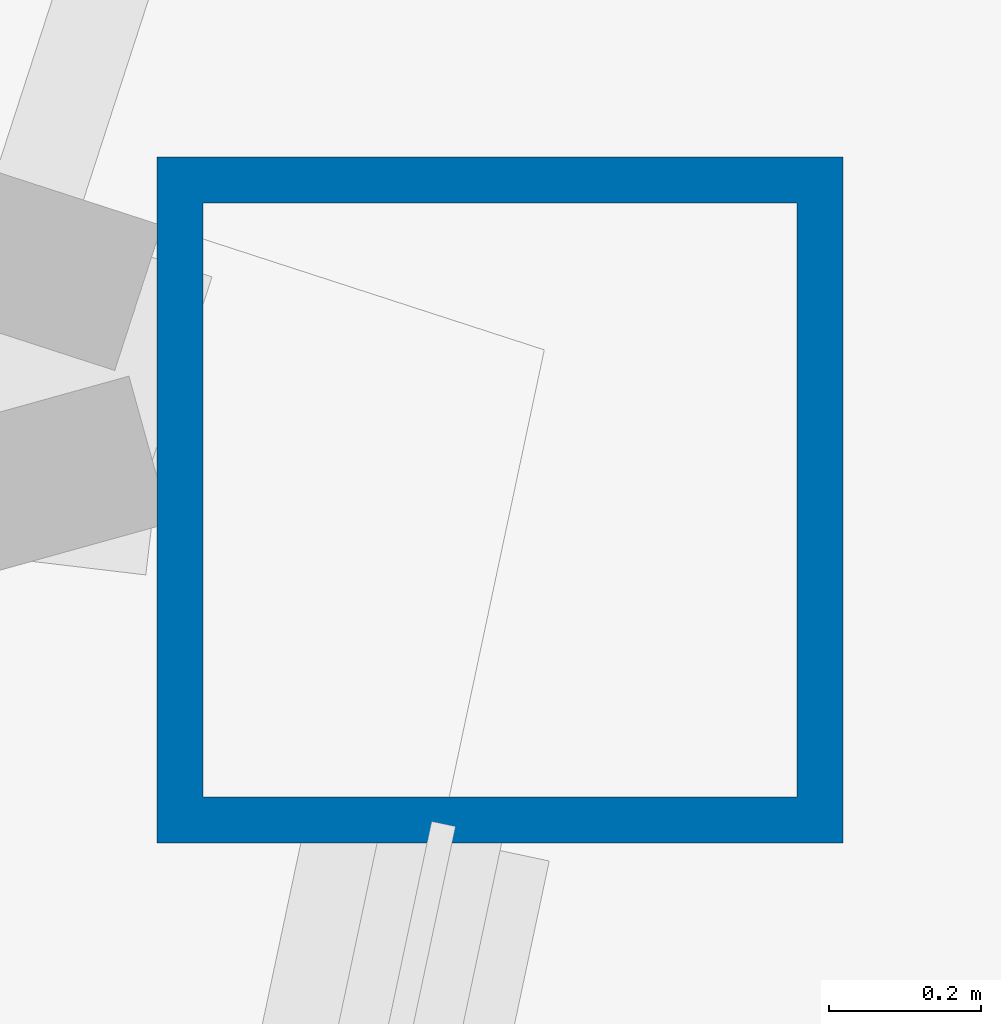
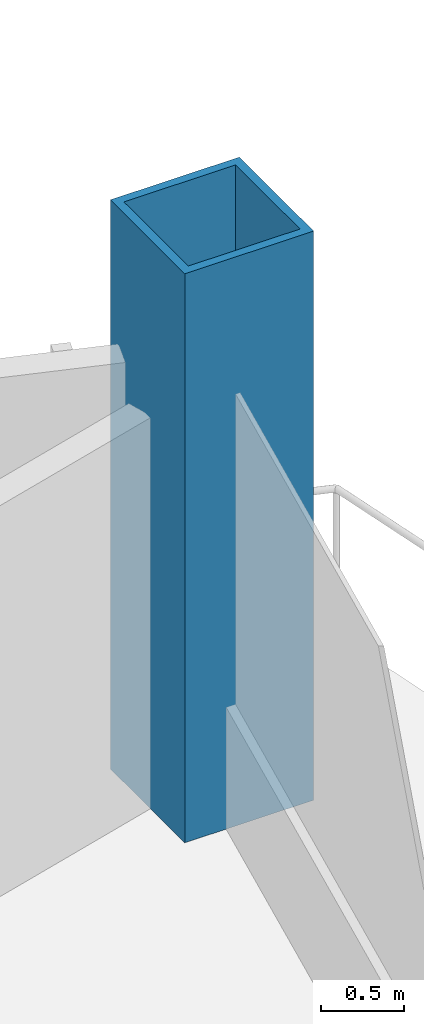
# One storey, part 2 of 21: 1 column.
"""IFC4 building model written with IfcOpenShell, lengths in metres."""

from ifc_helpers import new_model, si_unit, direction, frame, origin, origin_2d, place, context, subcontext, project, spatial, hollow_rectangle, extrude, material, material_profile, profile_set, type_object, element, save


model = new_model("IFC4")

# Units and contexts
model_context = context("Model", 3, precision=1e-05, world=origin(), true_north=direction((0.0, 1.0)))
body_context = subcontext(model_context, "Body", "Model", "MODEL_VIEW")
ifc_project = project(units=[si_unit("LENGTHUNIT", "METRE"), si_unit("AREAUNIT", "SQUARE_METRE"), si_unit("VOLUMEUNIT", "CUBIC_METRE"), si_unit("PLANEANGLEUNIT", "RADIAN"), si_unit("MASSUNIT", "GRAM", prefix="KILO")], contexts=[model_context])

# Site, building, storey
site_placement = place(None, origin())
site = spatial("IfcSite", under=ifc_project, at=site_placement, CompositionType="ELEMENT")
building_placement = place(site_placement, origin())
building = spatial("IfcBuilding", under=site, at=building_placement, Name="Cormorant Prow Tower", CompositionType="ELEMENT")
storey_placement = place(building_placement, frame((0.0, 0.0, 141.60009765625)))
storey = spatial("IfcBuildingStorey", under=building, at=storey_placement, Name="L30", CompositionType="ELEMENT", Elevation=141.60009765625)

# Column
ifc_material = material(Name="Structural steel ASTM A572 Gr 50", Category="steel")
ifc_material_profile = material_profile(ifc_material, hollow_rectangle(XDim=0.89990234375, YDim=0.89990234375, WallThickness=0.06005859375, at=origin_2d()), Name="Box 900x900x60")
ifc_profile_set = profile_set([ifc_material_profile], Name="Structural steel ASTM A572 Gr 50")
column_type = type_object("IfcColumnType", Name="Perimeter box column 900x900x60", PredefinedType="COLUMN", material=ifc_profile_set)
column_placement = place(storey_placement, frame((32.1962890625, -4.967041015625, 0.0), z_axis=(0.0, 0.0, 1.0), x_axis=(1.0, 0.0, 0.0)))
element("IfcColumn", 1, at=column_placement, inside=storey, type_object=column_type, Name="Perimeter column C3 at ENE01 L30", PredefinedType="COLUMN", context=body_context, shape_type="SweptSolid", body=[
    extrude(hollow_rectangle(XDim=0.89990234375, YDim=0.89990234375, WallThickness=0.06005859375, at=origin_2d()), origin(), (0.0, 0.0, 1.0), 4.199951171875),
])

save(model, "model.ifc")
